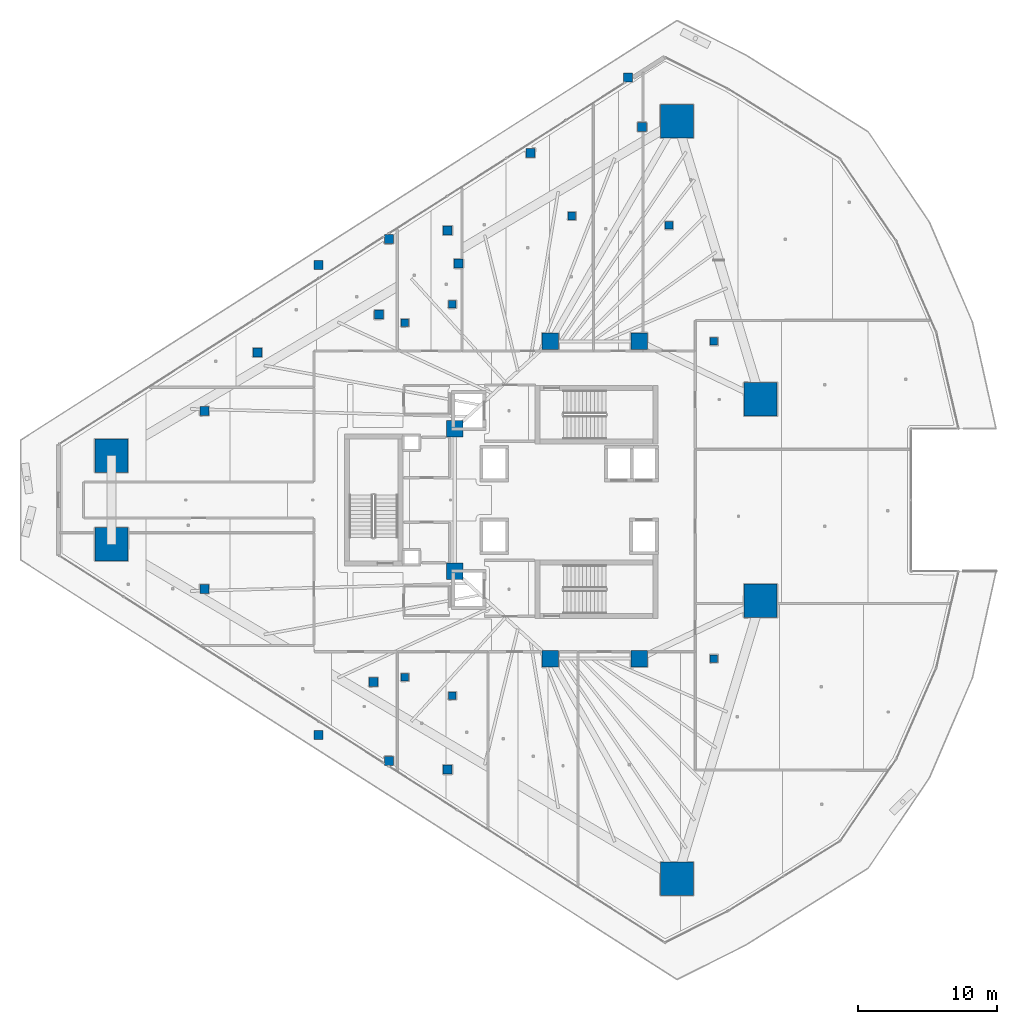
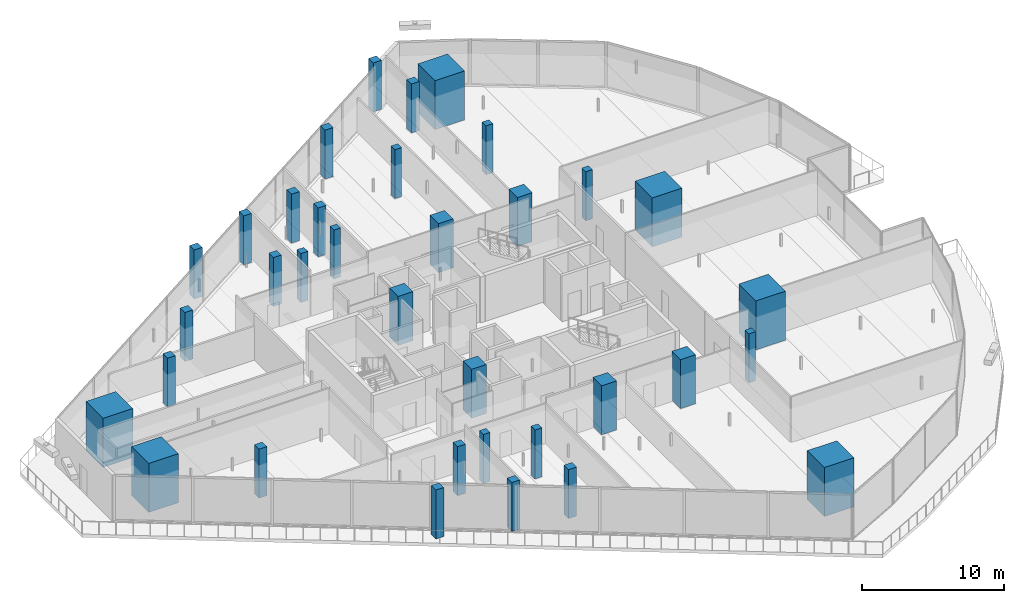
# One storey, part 1 of 46: 35 columns.
"""IFC4 building model written with IfcOpenShell, lengths in metres."""

from ifc_helpers import new_model, si_unit, direction, frame, origin, origin_2d, place, context, subcontext, project, spatial, rectangle, extrude, material, material_profile, profile_set, type_object, element, save


model = new_model("IFC4")

# Units and contexts
model_context = context("Model", 3, precision=1e-05, world=origin(), true_north=direction((0.0, 1.0)))
body_context = subcontext(model_context, "Body", "Model", "MODEL_VIEW")
ifc_project = project(units=[si_unit("LENGTHUNIT", "METRE"), si_unit("AREAUNIT", "SQUARE_METRE"), si_unit("VOLUMEUNIT", "CUBIC_METRE"), si_unit("PLANEANGLEUNIT", "RADIAN"), si_unit("MASSUNIT", "GRAM", prefix="KILO")], contexts=[model_context])

# Site, building, storey
site_placement = place(None, origin())
site = spatial("IfcSite", under=ifc_project, at=site_placement, CompositionType="ELEMENT")
building_placement = place(site_placement, origin())
building = spatial("IfcBuilding", under=site, at=building_placement, Name="Qorvath Tower", CompositionType="ELEMENT")
storey_placement = place(building_placement, frame((0.0, 0.0, 87.0)))
storey = spatial("IfcBuildingStorey", under=building, at=storey_placement, Name="L19", CompositionType="ELEMENT", Elevation=87.0)

# Columns
ifc_material_1 = material(Name="Concrete C70/85", Category="concrete")
ifc_material_profile_1 = material_profile(ifc_material_1, rectangle(XDim=2.39990234375, YDim=2.39990234375, at=origin_2d()), Name="MC 2400x2400")
ifc_profile_set_1 = profile_set([ifc_material_profile_1], Name="Concrete C70/85")
column_type_1 = type_object("IfcColumnType", Name="COL-MC1", PredefinedType="COLUMN", material=ifc_profile_set_1)
for number, where, z_axis, x_axis, name in (
    (1, (-55.282958984375, 3.194580078125, 0.0), (0.0, 0.0, 1.0), (1.0, 0.0, 0.0), "Composite Mega-Column MC1 L19"),
    (2, (-55.282958984375, -3.194580078125, 0.0), (0.0, 0.0, 1.0), (1.0, 0.0, 0.0), "Composite Mega-Column MC2 L19"),
    (3, (-14.46435546875, -27.330810546875, 0.0), (0.0, 0.0, 1.0), (1.0, 0.0, 0.0), "Composite Mega-Column MC3 L19"),
    (4, (-8.430419921875, -7.2763671875, 0.0), (0.0, 0.0, 1.0), (1.0, 0.0, 0.0), "Composite Mega-Column MC4 L19"),
    (5, (-8.430419921875, 7.2763671875, 0.0), (0.0, 0.0, 1.0), (1.0, 0.0, 0.0), "Composite Mega-Column MC5 L19"),
    (6, (-14.46435546875, 27.330810546875, 0.0), (0.0, 0.0, 1.0), (1.0, 0.0, 0.0), "Composite Mega-Column MC6 L19"),
):
    element("IfcColumn", number, at=place(storey_placement, frame(where, z_axis=z_axis, x_axis=x_axis)), inside=storey, type_object=column_type_1, Name=name, PredefinedType="COLUMN", context=body_context, shape_type="SweptSolid", body=[
        extrude(rectangle(XDim=2.39990234375, YDim=2.39990234375, at=origin_2d()), origin(), (0.0, 0.0, 1.0), 4.199951171875),
    ])
ifc_material_2 = material(Name="Concrete C60/75", Category="concrete")
ifc_material_profile_2 = material_profile(ifc_material_2, rectangle(XDim=1.199951171875, YDim=1.199951171875, at=origin_2d()), Name="RC 1200x1200")
ifc_profile_set_2 = profile_set([ifc_material_profile_2], Name="Concrete C60/75")
column_type_2 = type_object("IfcColumnType", Name="COL-RC1", PredefinedType="COLUMN", material=ifc_profile_set_2)
for number, where, z_axis, x_axis, name in (
    (7, (-23.60009765625, 11.449951171875, 0.0), (0.0, 0.0, 1.0), (1.0, 0.0, 0.0), "Core Spine Column CC1 L19"),
    (8, (-17.199951171875, 11.449951171875, 0.0), (0.0, 0.0, 1.0), (1.0, 0.0, 0.0), "Core Spine Column CC2 L19"),
    (9, (-17.199951171875, -11.449951171875, 0.0), (0.0, 0.0, 1.0), (1.0, 0.0, 0.0), "Core Spine Column CC3 L19"),
    (10, (-23.60009765625, -11.449951171875, 0.0), (0.0, 0.0, 1.0), (1.0, 0.0, 0.0), "Core Spine Column CC4 L19"),
    (11, (-30.5, 5.14990234375, 0.0), (0.0, 0.0, 1.0), (1.0, 0.0, 0.0), "Core Spine Column CC5 L19"),
    (12, (-30.5, -5.14990234375, 0.0), (0.0, 0.0, 1.0), (1.0, 0.0, 0.0), "Core Spine Column CC6 L19"),
):
    element("IfcColumn", number, at=place(storey_placement, frame(where, z_axis=z_axis, x_axis=x_axis)), inside=storey, type_object=column_type_2, Name=name, PredefinedType="COLUMN", context=body_context, shape_type="SweptSolid", body=[
        extrude(rectangle(XDim=1.199951171875, YDim=1.199951171875, at=origin_2d()), origin(), (0.0, 0.0, 1.0), 4.199951171875),
    ])
ifc_material_3 = material(Name="Concrete C45/55", Category="concrete")
ifc_material_profile_3 = material_profile(ifc_material_3, rectangle(XDim=0.64990234375, YDim=0.64990234375, at=origin_2d()), Name="RC 650x650")
ifc_profile_set_3 = profile_set([ifc_material_profile_3], Name="Concrete C45/55")
column_type_3 = type_object("IfcColumnType", Name="COL-RC6", PredefinedType="COLUMN", material=ifc_profile_set_3)
for number, where, z_axis, x_axis, name in (
    (13, (-40.33251953125, 16.955810546875, 0.0), (0.0, 0.0, 1.0), (1.0, 0.0, 0.0), "Loggia Frame Pier Column LGB1 L19"),
    (14, (-40.33251953125, -16.955810546875, 0.0), (0.0, 0.0, 1.0), (1.0, 0.0, 0.0), "Loggia Frame Pier Column LGB2 L19"),
    (15, (-18.0, 30.5, 0.0), (0.0, 0.0, 1.0), (1.0, 0.0, 0.0), "Loggia Frame Pier Column LGB3 L19"),
    (16, (-35.251708984375, 18.829345703125, 0.0), (0.0, 0.0, 1.0), (1.0, 0.0, 0.0), "Loggia Frame Pier Column LGC1 L19"),
    (17, (-35.251708984375, -18.829345703125, 0.0), (0.0, 0.0, 1.0), (1.0, 0.0, 0.0), "Loggia Frame Pier Column LGC2 L19"),
    (18, (-25.03759765625, 25.058837890625, 0.0), (0.0, 0.0, 1.0), (1.0, 0.0, 0.0), "Loggia Frame Pier Column LGC3 L19"),
    (19, (-31.01611328125, 19.46044921875, 0.0), (0.0, 0.0, 1.0), (1.0, 0.0, 0.0), "Loggia Frame Pier Column LGD1 L19"),
    (20, (-31.01611328125, -19.46044921875, 0.0), (0.0, 0.0, 1.0), (1.0, 0.0, 0.0), "Loggia Frame Pier Column LGD2 L19"),
    (21, (-44.736328125, 10.65234375, 0.0), (0.0, 0.0, 1.0), (1.0, 0.0, 0.0), "Loggia Frame Pier Column LGD3 L19"),
    (22, (-48.578369140625, 6.424560546875, 0.0), (0.0, 0.0, 1.0), (1.0, 0.0, 0.0), "Loggia Frame Pier Column LGE1 L19"),
    (23, (-48.578369140625, -6.424560546875, 0.0), (0.0, 0.0, 1.0), (1.0, 0.0, 0.0), "Loggia Frame Pier Column LGE2 L19"),
    (24, (-16.981201171875, 26.92919921875, 0.0), (0.0, 0.0, 1.0), (1.0, 0.0, 0.0), "Loggia Frame Pier Column LGE3 L19"),
    (25, (-35.980712890625, 13.380859375, 0.0), (0.0, 0.0, 1.0), (1.0, 0.0, 0.0), "Loggia Frame Pier Column LGF1 L19"),
    (26, (-36.36474609375, -13.135498046875, 0.0), (0.0, 0.0, 1.0), (1.0, 0.0, 0.0), "Loggia Frame Pier Column LGF2 L19"),
    (27, (-30.224853515625, 17.0595703125, 0.0), (0.0, 0.0, 1.0), (1.0, 0.0, 0.0), "Loggia Frame Pier Column LGF3 L19"),
):
    element("IfcColumn", number, at=place(storey_placement, frame(where, z_axis=z_axis, x_axis=x_axis)), inside=storey, type_object=column_type_3, Name=name, PredefinedType="COLUMN", context=body_context, shape_type="SweptSolid", body=[
        extrude(rectangle(XDim=0.64990234375, YDim=0.64990234375, at=origin_2d()), origin(), (0.0, 0.0, 1.0), 4.199951171875),
    ])
ifc_material_4 = material(Name="Concrete C45/55", Category="concrete")
ifc_material_profile_4 = material_profile(ifc_material_4, rectangle(XDim=0.550048828125, YDim=0.550048828125, at=origin_2d()), Name="RC 550x550")
ifc_profile_set_4 = profile_set([ifc_material_profile_4], Name="Concrete C45/55")
column_type_4 = type_object("IfcColumnType", Name="COL-RC7", PredefinedType="COLUMN", material=ifc_profile_set_4)
for number, where, z_axis, x_axis, name in (
    (28, (-34.104248046875, 12.79248046875, 0.0), (0.0, 0.0, 1.0), (1.0, 0.0, 0.0), "Loggia Frame Pier Column LGG1 L19"),
    (29, (-34.104248046875, -12.79248046875, 0.0), (0.0, 0.0, 1.0), (1.0, 0.0, 0.0), "Loggia Frame Pier Column LGG2 L19"),
    (30, (-22.05322265625, 20.494873046875, 0.0), (0.0, 0.0, 1.0), (1.0, 0.0, 0.0), "Loggia Frame Pier Column LGG3 L19"),
    (31, (-30.67724609375, 14.124267578125, 0.0), (0.0, 0.0, 1.0), (1.0, 0.0, 0.0), "Loggia Frame Pier Column LGH1 L19"),
    (32, (-30.67724609375, -14.124267578125, 0.0), (0.0, 0.0, 1.0), (1.0, 0.0, 0.0), "Loggia Frame Pier Column LGH2 L19"),
    (33, (-15.046142578125, 19.818115234375, 0.0), (0.0, 0.0, 1.0), (1.0, 0.0, 0.0), "Loggia Frame Pier Column LGH3 L19"),
    (34, (-11.800048828125, -11.449951171875, 0.0), (0.0, 0.0, 1.0), (1.0, 0.0, 0.0), "Central Slot Jamb Column SC1 L19"),
    (35, (-11.800048828125, 11.449951171875, 0.0), (0.0, 0.0, 1.0), (1.0, 0.0, 0.0), "Central Slot Jamb Column SC2 L19"),
):
    element("IfcColumn", number, at=place(storey_placement, frame(where, z_axis=z_axis, x_axis=x_axis)), inside=storey, type_object=column_type_4, Name=name, PredefinedType="COLUMN", context=body_context, shape_type="SweptSolid", body=[
        extrude(rectangle(XDim=0.550048828125, YDim=0.550048828125, at=origin_2d()), origin(), (0.0, 0.0, 1.0), 4.199951171875),
    ])

save(model, "model.ifc")
